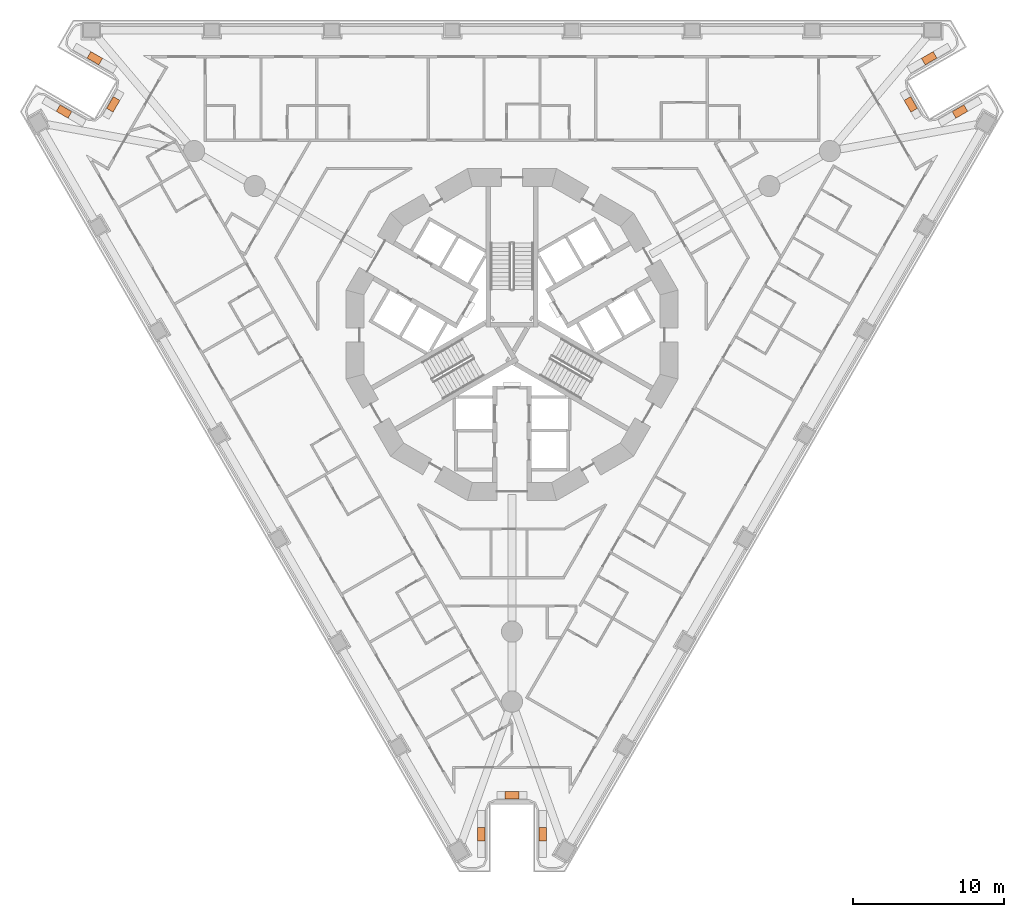
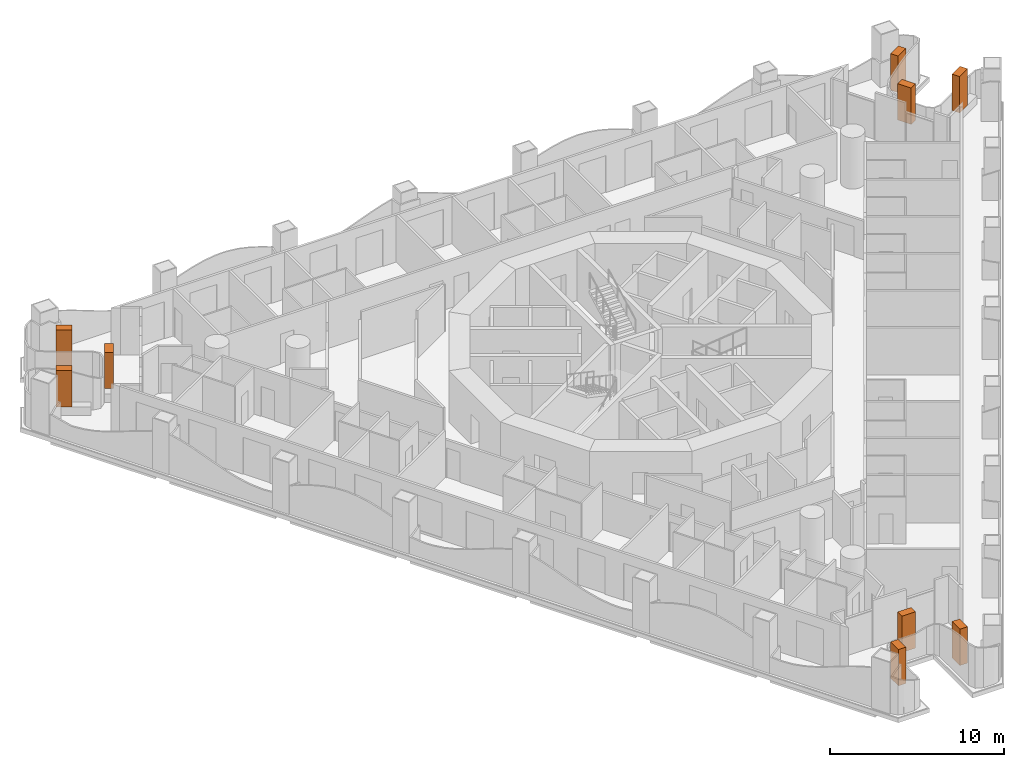
# One storey, part 19 of 19: 9 geographic elements.
"""IFC4 building model written with IfcOpenShell, lengths in metres."""

from ifc_helpers import new_model, si_unit, direction, frame, origin, origin_2d, place, context, subcontext, project, spatial, rectangle, extrude, element, save


model = new_model("IFC4")

# Units and contexts
model_context = context("Model", 3, precision=1e-05, world=origin(), true_north=direction((0.0, 1.0)))
body_context = subcontext(model_context, "Body", "Model", "MODEL_VIEW")
ifc_project = project(units=[si_unit("LENGTHUNIT", "METRE"), si_unit("AREAUNIT", "SQUARE_METRE"), si_unit("VOLUMEUNIT", "CUBIC_METRE"), si_unit("PLANEANGLEUNIT", "RADIAN"), si_unit("MASSUNIT", "GRAM", prefix="KILO")], contexts=[model_context])

# Site, building, storey
site_placement = place(None, origin())
site = spatial("IfcSite", under=ifc_project, at=site_placement, CompositionType="ELEMENT")
building_placement = place(site_placement, origin())
building = spatial("IfcBuilding", under=site, at=building_placement, Name="Trine Commons Tower", CompositionType="ELEMENT")
storey_placement = place(building_placement, frame((0.0, 0.0, 31.5)))
storey = spatial("IfcBuildingStorey", under=building, at=storey_placement, Name="L06", CompositionType="ELEMENT", Elevation=31.5)

# Geographic elements
for number, where, z_axis, x_axis, name in (
    (1, (50.298095703125, 77.29296875, 0.60009765625), (0.0, 0.0, 1.0), (0.866026276448, -0.4999984885, 0.0), "Tree 1.1"),
    (2, (53.560791015625, 77.7646484375, 0.60009765625), (0.0, 0.0, 1.0), (0.500010580459, 0.866019295067, 0.0), "Tree 2.1"),
    (3, (52.337890625, 80.826416015625, 0.60009765625), (0.0, 0.0, 1.0), (-0.866026276448, 0.4999984885, 0.0), "Tree 3.1"),
    (4, (107.662109375, 80.826416015625, 0.60009765625), (0.0, 0.0, 1.0), (-0.866026276448, -0.4999984885, 0.0), "Tree 4.1"),
    (5, (106.439208984375, 77.7646484375, 0.60009765625), (0.0, 0.0, 1.0), (0.500010580459, -0.866019295067, 0.0), "Tree 5.1"),
    (6, (109.701904296875, 77.29296875, 0.60009765625), (0.0, 0.0, 1.0), (0.866026276448, 0.4999984885, 0.0), "Tree 6.1"),
    (7, (82.0400390625, 29.380859375, 0.60009765625), (0.0, 0.0, 1.0), (0.0, 1.0, 0.0), "Tree 7.1"),
    (8, (80.0, 31.970703125, 0.60009765625), (0.0, 0.0, 1.0), (-1.0, 0.0, 0.0), "Tree 8.1"),
    (9, (77.9599609375, 29.380859375, 0.60009765625), (0.0, 0.0, 1.0), (0.0, -1.0, 0.0), "Tree 9.1"),
):
    element("IfcGeographicElement", number, at=place(storey_placement, frame(where, z_axis=z_axis, x_axis=x_axis)), inside=storey, Name=name, ObjectType="TREE Tabebuia rosea", PredefinedType="USERDEFINED", context=body_context, shape_type="SweptSolid", body=[
        extrude(rectangle(XDim=0.89990234375, YDim=0.5, at=origin_2d()), origin(), (0.0, 0.0, 1.0), 2.550048828125),
    ])

save(model, "model.ifc")
